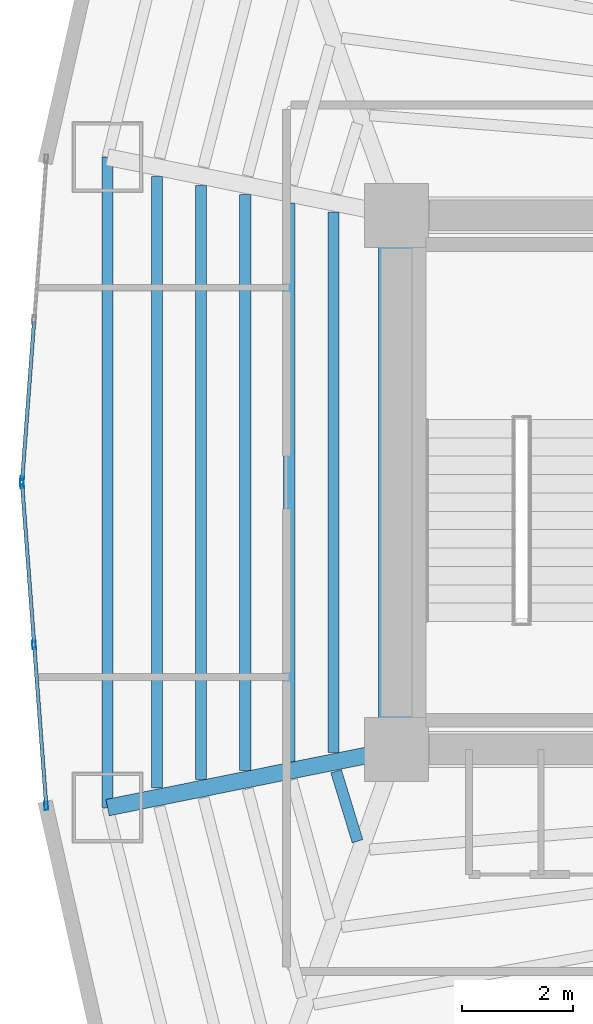
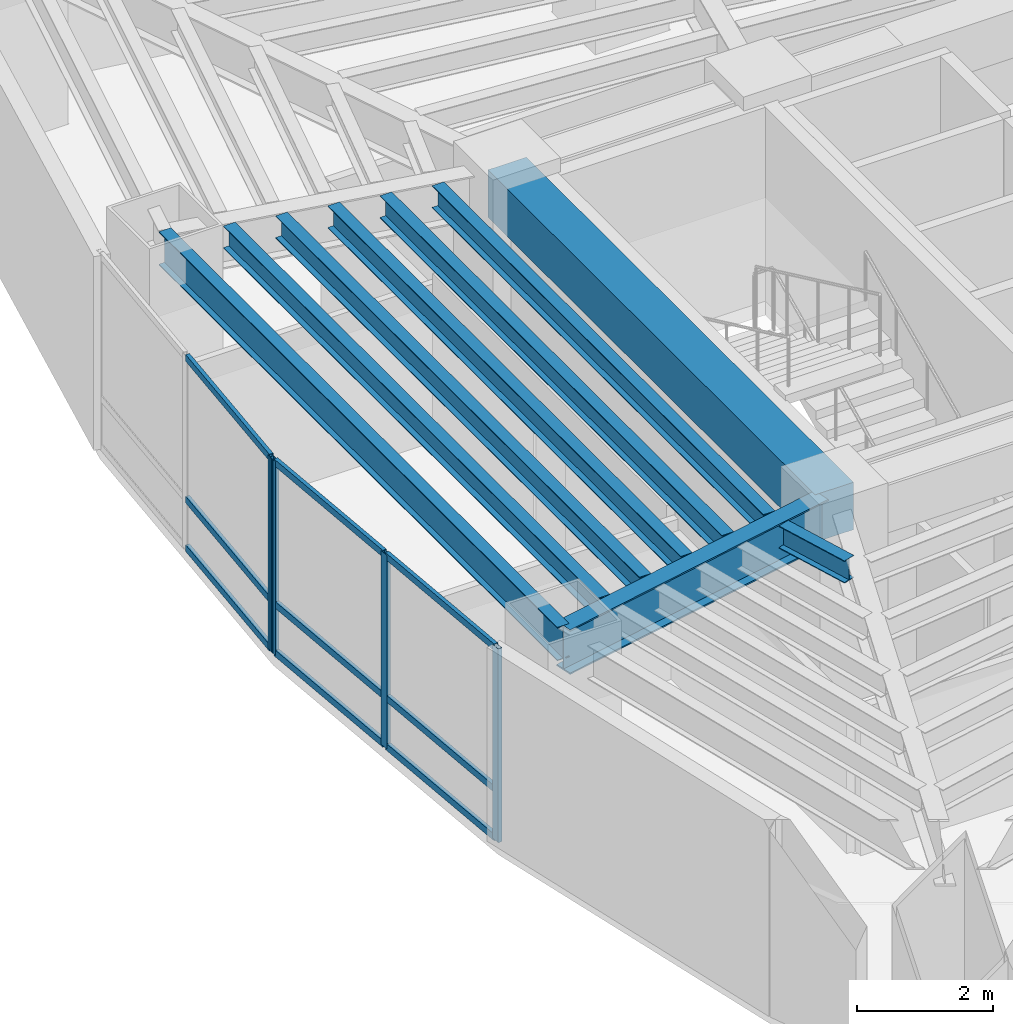
# One storey, part 3 of 18: 13 members, 9 beams, 2 elements without a shape of their own.
"""IFC4 building model written with IfcOpenShell, lengths in metres."""

import ifcopenshell
import ifcopenshell.guid

model = None  # the IFC model being written
_history = None  # IfcOwnerHistory: only IFC2X3 demands one
_inside = {}  # id of a spatial element -> (the spatial element, [elements in it])
_under = {}  # id of a project, library or spatial element -> (it, [spatial elements below it])
_declared = {}  # id of a project -> (the project, [libraries it declares])
_typed = {}  # id of a type object -> (the type object, [elements of that type])
_made_of = {}  # id of a material, layer set ... -> (it, [elements and type objects made of it])


def new_model(schema):
    """Start an empty IFC model of exactly this schema.

    Asked for "IFC4X3", IfcOpenShell would pick the latest addendum, in which some entities
    have other attributes; the version numbers below select the first issue.
    IFC2X3 requires an IfcOwnerHistory on every rooted entity: one is made here for all.
    """
    global model, _history
    if schema == "IFC4X3":
        model = ifcopenshell.file(schema_version=(4, 3, 0, 0))
    else:
        model = ifcopenshell.file(schema=schema)
    _inside.clear()
    _under.clear()
    _declared.clear()
    _typed.clear()
    _made_of.clear()
    _history = None
    if model.schema == "IFC2X3":
        org = make("IfcOrganization", Name="unknown")
        user = make(
            "IfcPersonAndOrganization",
            ThePerson=make("IfcPerson", FamilyName="unknown"),
            TheOrganization=org,
        )
        app = make(
            "IfcApplication",
            ApplicationDeveloper=org,
            Version="unknown",
            ApplicationFullName="unknown",
            ApplicationIdentifier="unknown",
        )
        _history = make(
            "IfcOwnerHistory",
            OwningUser=user,
            OwningApplication=app,
            ChangeAction="ADDED",
            CreationDate=0,
        )
    return model


def make(cls, **values):
    """One entity of the class cls with the attributes given. An attribute that is None is left unset."""
    return model.create_entity(
        cls, **{name: value for name, value in values.items() if value is not None}
    )


def rooted(cls, **values):
    """An entity with a GlobalId (a new one), such as an element, a storey or a relation."""
    return make(cls, GlobalId=ifcopenshell.guid.new(), OwnerHistory=_history, **values)


def si_unit(unit_type, name, prefix=None):
    """IfcSIUnit, for example si_unit("LENGTHUNIT", "METRE", prefix="MILLI")."""
    return make("IfcSIUnit", UnitType=unit_type, Prefix=prefix, Name=name)


def assignment(units):
    """IfcUnitAssignment: the units of a project."""
    return None if units is None else make("IfcUnitAssignment", Units=units)


def point(xyz):
    """IfcCartesianPoint."""
    return None if xyz is None else make("IfcCartesianPoint", Coordinates=xyz)


def direction(xyz):
    """IfcDirection."""
    return None if xyz is None else make("IfcDirection", DirectionRatios=xyz)


def frame(location, z_axis=None, x_axis=None):
    """IfcAxis2Placement3D, a coordinate frame: its origin and axes. An axis left out is left unset."""
    return make(
        "IfcAxis2Placement3D",
        Location=point(location),
        Axis=direction(z_axis),
        RefDirection=direction(x_axis),
    )


def frame_2d(location, x_axis=None):
    """IfcAxis2Placement2D, a coordinate frame in the plane: its origin and x axis."""
    return make(
        "IfcAxis2Placement2D", Location=point(location), RefDirection=direction(x_axis)
    )


def origin():
    """The frame at (0, 0, 0) with its axes left unset."""
    return frame((0.0, 0.0, 0.0))


def origin_2d():
    """The frame at (0, 0) in the plane with its x axis left unset."""
    return frame_2d((0.0, 0.0))


def place(relative_to, where):
    """IfcLocalPlacement: puts the frame where relative to a parent placement (None: the world)."""
    return make(
        "IfcLocalPlacement", PlacementRelTo=relative_to, RelativePlacement=where
    )


def context(
    kind, dimensions, precision=None, world=None, true_north=None, identifier=None
):
    """IfcGeometricRepresentationContext, for example the 3D "Model" context."""
    return make(
        "IfcGeometricRepresentationContext",
        ContextIdentifier=identifier,
        ContextType=kind,
        CoordinateSpaceDimension=dimensions,
        Precision=precision,
        WorldCoordinateSystem=world,
        TrueNorth=true_north,
    )


def subcontext(parent, identifier, kind, view, scale=None):
    """IfcGeometricRepresentationSubContext, for example "Body" below "Model"."""
    return make(
        "IfcGeometricRepresentationSubContext",
        ContextIdentifier=identifier,
        ContextType=kind,
        ParentContext=parent,
        TargetScale=scale,
        TargetView=view,
    )


def project(units=None, contexts=None):
    """IfcProject with its units and contexts."""
    return rooted(
        "IfcProject",
        Name="project",
        RepresentationContexts=contexts,
        UnitsInContext=assignment(units),
    )


def spatial(cls, under=None, at=None, **own):
    """A site, building, storey or space (cls), placed at a placement, below another one or the project."""
    s = rooted(cls, ObjectPlacement=at, **own)
    if under is not None:
        _under.setdefault(under.id(), (under, []))[1].append(s)
    return s


def profile(cls, at=None, kind="AREA", **sizes):
    """A parametric profile (cls). Its sizes go by their IFC names, for example OverallWidth=200.0."""
    return make(cls, ProfileType=kind, Position=at, **sizes)


def rectangle(**sizes):
    """IfcRectangleProfileDef."""
    return profile("IfcRectangleProfileDef", **sizes)


def hollow_rectangle(**sizes):
    """IfcRectangleHollowProfileDef."""
    return profile("IfcRectangleHollowProfileDef", **sizes)


def i_section(**sizes):
    """IfcIShapeProfileDef."""
    return profile("IfcIShapeProfileDef", **sizes)


def extrude(swept, where, along, depth):
    """IfcExtrudedAreaSolid: the profile swept, set in the frame where, extruded along a direction by depth."""
    return make(
        "IfcExtrudedAreaSolid",
        SweptArea=swept,
        Position=where,
        ExtrudedDirection=direction(along),
        Depth=depth,
    )


def shape(context_of_items, identifier, shape_type, items):
    """IfcShapeRepresentation: the items that make up one representation, for example the "Body"."""
    return make(
        "IfcShapeRepresentation",
        ContextOfItems=context_of_items,
        RepresentationIdentifier=identifier,
        RepresentationType=shape_type,
        Items=items,
    )


def material(Name=None, Category=None):
    """IfcMaterial."""
    return make("IfcMaterial", Name=Name, Category=Category)


def layer(
    of_material, thickness, ventilated=None, Name=None, Category=None, Priority=None
):
    """IfcMaterialLayer: one layer of a wall or slab, of a material (None: an air gap)."""
    return make(
        "IfcMaterialLayer",
        Material=of_material,
        LayerThickness=thickness,
        IsVentilated=ventilated,
        Name=Name,
        Category=Category,
        Priority=Priority,
    )


def layer_set(layers, Name=None):
    """IfcMaterialLayerSet."""
    return make("IfcMaterialLayerSet", MaterialLayers=layers, LayerSetName=Name)


def material_profile(
    of_material, cross_section, Name=None, Category=None, Priority=None
):
    """IfcMaterialProfile: a cross section and its material."""
    return make(
        "IfcMaterialProfile",
        Name=Name,
        Material=of_material,
        Profile=cross_section,
        Priority=Priority,
        Category=Category,
    )


def profile_set(profiles, Name=None, composite=None):
    """IfcMaterialProfileSet."""
    return make(
        "IfcMaterialProfileSet",
        Name=Name,
        MaterialProfiles=profiles,
        CompositeProfile=composite,
    )


def made_of(thing, what):
    """Note that an element or type object is made of a material, layer set ...; save() writes the relation."""
    if what is not None:
        _made_of.setdefault(what.id(), (what, []))[1].append(thing)
    return thing


def type_object(cls, material=None, **own):
    """A type object (cls), such as IfcWallType, which elements share."""
    return made_of(rooted(cls, **own), material)


def element(
    cls,
    number,
    at=None,
    inside=None,
    cuts=None,
    type_object=None,
    material=None,
    context=None,
    identifier="Body",
    shape_type=None,
    held_by="IfcProductDefinitionShape",
    body=None,
    shapes=None,
    **own,
):
    """One element of the class cls, such as IfcWall. Its Tag is "e" and its number.

    at: its placement. inside: the storey or other place that contains it. cuts: it is an
    opening in that element (IfcRelVoidsElement). A single representation is given by context,
    identifier, shape_type and body (its items); several are given by shapes. held_by: the class
    of the entity that holds the representations. save() writes the other relations.
    """
    e = rooted(cls, Tag="e%d" % number, ObjectPlacement=at, **own)
    if body is not None:
        shapes = [shape(context, identifier, shape_type, body)]
    if shapes is not None:
        e.Representation = make(held_by, Representations=shapes)
    if inside is not None:
        _inside.setdefault(inside.id(), (inside, []))[1].append(e)
    if cuts is not None:
        rooted(
            "IfcRelVoidsElement", RelatingBuildingElement=cuts, RelatedOpeningElement=e
        )
    if type_object is not None:
        _typed.setdefault(type_object.id(), (type_object, []))[1].append(e)
    return made_of(e, material)


def aggregate(whole, parts):
    """IfcRelAggregates: a whole, such as a stair, and the parts it consists of."""
    return rooted("IfcRelAggregates", RelatingObject=whole, RelatedObjects=parts)


def save(model, path):
    """Write the relations noted so far, then the file.

    IfcRelAggregates (storeys below a building ...), IfcRelContainedInSpatialStructure (elements
    in a storey), IfcRelDefinesByType, IfcRelAssociatesMaterial and IfcRelDeclares: one each for
    every whole, place, type object, material and project.
    """
    for whole, parts in _under.values():
        aggregate(whole, parts)
    for where, things in _inside.values():
        rooted(
            "IfcRelContainedInSpatialStructure",
            RelatedElements=things,
            RelatingStructure=where,
        )
    for kind, things in _typed.values():
        rooted("IfcRelDefinesByType", RelatedObjects=things, RelatingType=kind)
    for what, things in _made_of.values():
        rooted("IfcRelAssociatesMaterial", RelatedObjects=things, RelatingMaterial=what)
    for by, libraries in _declared.values():
        rooted("IfcRelDeclares", RelatingContext=by, RelatedDefinitions=libraries)
    model.write(path)


model = new_model("IFC4")

# Units and contexts
model_context = context("Model", 3, precision=1e-05, world=origin(), true_north=direction((0.0, 1.0)))
body_context = subcontext(model_context, "Body", "Model", "MODEL_VIEW")
ifc_project = project(units=[si_unit("LENGTHUNIT", "METRE"), si_unit("AREAUNIT", "SQUARE_METRE"), si_unit("VOLUMEUNIT", "CUBIC_METRE"), si_unit("PLANEANGLEUNIT", "RADIAN"), si_unit("MASSUNIT", "GRAM", prefix="KILO")], contexts=[model_context])

# Site, building, storey
site_placement = place(None, origin())
site = spatial("IfcSite", under=ifc_project, at=site_placement, CompositionType="ELEMENT")
building_placement = place(site_placement, origin())
building = spatial("IfcBuilding", under=site, at=building_placement, Name="Menara Vayukalpa", CompositionType="ELEMENT")
storey_placement = place(building_placement, frame((0.0, 0.0, 92.820068359375)))
storey = spatial("IfcBuildingStorey", under=building, at=storey_placement, Name="L22", CompositionType="ELEMENT", Elevation=92.820068359375)

# Beams
ifc_material_1 = material(Name="Concrete C60/75", Category="concrete")
ifc_material_profile_1 = material_profile(ifc_material_1, rectangle(XDim=0.64990234375, YDim=0.85009765625, at=origin_2d()), Name="RC 650x850")
ifc_profile_set_1 = profile_set([ifc_material_profile_1], Name="Concrete C60/75")
beam_type_1 = type_object("IfcBeamType", Name="BM-CB1", PredefinedType="BEAM", material=ifc_profile_set_1)
beam_1_placement = place(storey_placement, frame((17.800048828125, 17.199951171875, 3.044921875), z_axis=(0.0, 1.0, 0.0), x_axis=(-1.0, 0.0, 0.0)))
element("IfcBeam", 1, at=beam_1_placement, inside=storey, type_object=beam_type_1, Name="L22 Core Tie Beam CBR7", PredefinedType="BEAM", context=body_context, shape_type="SweptSolid", body=[
    extrude(rectangle(XDim=0.64990234375, YDim=0.85009765625, at=origin_2d()), origin(), (0.0, 0.0, 1.0), 9.60009765625),
])
ifc_material_2 = material(Name="Steel S355", Category="steel")
ifc_material_profile_2 = material_profile(ifc_material_2, i_section(OverallWidth=0.300048828125, OverallDepth=0.800048828125, WebThickness=0.013916015625, FlangeThickness=0.02587890625, at=origin_2d()), Name="WF 800x300x14x26")
ifc_profile_set_2 = profile_set([ifc_material_profile_2], Name="Steel S355")
beam_type_2 = type_object("IfcBeamType", Name="BM-PG3", PredefinedType="BEAM", material=ifc_profile_set_2)
beam_2_placement = place(storey_placement, frame((17.554931640625, 17.150634765625, 3.06982421875), z_axis=(-0.980324984906, -0.197390283373, 0.0), x_axis=(0.197390283373, -0.980324984906, 0.0)))
element("IfcBeam", 2, at=beam_2_placement, inside=storey, type_object=beam_type_2, Name="L22 Primary Radial Girder RG06", PredefinedType="BEAM", context=body_context, shape_type="SweptSolid", body=[
    extrude(i_section(OverallWidth=0.300048828125, OverallDepth=0.800048828125, WebThickness=0.013916015625, FlangeThickness=0.02587890625, at=origin_2d()), origin(), (0.0, 0.0, 1.0), 5.047607421875),
])
ifc_material_3 = material(Name="Steel S355", Category="steel")
ifc_material_profile_3 = material_profile(ifc_material_3, i_section(OverallWidth=0.199951171875, OverallDepth=0.39990234375, WebThickness=0.008056640625, FlangeThickness=0.012939453125, at=origin_2d()), Name="WF 400x200x8x13")
ifc_profile_set_3 = profile_set([ifc_material_profile_3], Name="Steel S355")
beam_type_3 = type_object("IfcBeamType", Name="BM-SJ2", PredefinedType="JOIST", material=ifc_profile_set_3)
beam_3_placement = place(storey_placement, frame((16.664306640625, 26.858642578125, 3.27001953125), z_axis=(0.0, -1.0, 0.0), x_axis=(1.0, 0.0, 0.0)))
element("IfcBeam", 3, at=beam_3_placement, inside=storey, type_object=beam_type_3, Name="L22 Secondary Floor Joist SJ05-1", PredefinedType="JOIST", context=body_context, shape_type="SweptSolid", body=[
    extrude(i_section(OverallWidth=0.199951171875, OverallDepth=0.39990234375, WebThickness=0.008056640625, FlangeThickness=0.012939453125, at=origin_2d()), origin(), (0.0, 0.0, 1.0), 9.71728515625),
])
beam_4_placement = place(storey_placement, frame((15.87255859375, 27.01806640625, 3.27001953125), z_axis=(0.0, -1.0, 0.0), x_axis=(1.0, 0.0, 0.0)))
element("IfcBeam", 4, at=beam_4_placement, inside=storey, type_object=beam_type_3, Name="L22 Secondary Floor Joist SJ05-2", PredefinedType="JOIST", context=body_context, shape_type="SweptSolid", body=[
    extrude(i_section(OverallWidth=0.199951171875, OverallDepth=0.39990234375, WebThickness=0.008056640625, FlangeThickness=0.012939453125, at=origin_2d()), origin(), (0.0, 0.0, 1.0), 10.0361328125),
])
beam_5_placement = place(storey_placement, frame((15.080810546875, 27.177490234375, 3.27001953125), z_axis=(0.0, -1.0, 0.0), x_axis=(1.0, 0.0, 0.0)))
element("IfcBeam", 5, at=beam_5_placement, inside=storey, type_object=beam_type_3, Name="L22 Secondary Floor Joist SJ05-3", PredefinedType="JOIST", context=body_context, shape_type="SweptSolid", body=[
    extrude(i_section(OverallWidth=0.199951171875, OverallDepth=0.39990234375, WebThickness=0.008056640625, FlangeThickness=0.012939453125, at=origin_2d()), origin(), (0.0, 0.0, 1.0), 10.35498046875),
])
beam_6_placement = place(storey_placement, frame((14.2890625, 27.3369140625, 3.27001953125), z_axis=(0.0, -1.0, 0.0), x_axis=(1.0, 0.0, 0.0)))
element("IfcBeam", 6, at=beam_6_placement, inside=storey, type_object=beam_type_3, Name="L22 Secondary Floor Joist SJ05-4", PredefinedType="JOIST", context=body_context, shape_type="SweptSolid", body=[
    extrude(i_section(OverallWidth=0.199951171875, OverallDepth=0.39990234375, WebThickness=0.008056640625, FlangeThickness=0.012939453125, at=origin_2d()), origin(), (0.0, 0.0, 1.0), 10.673828125),
])
beam_7_placement = place(storey_placement, frame((13.497314453125, 27.496337890625, 3.27001953125), z_axis=(0.0, -1.0, 0.0), x_axis=(1.0, 0.0, 0.0)))
element("IfcBeam", 7, at=beam_7_placement, inside=storey, type_object=beam_type_3, Name="L22 Secondary Floor Joist SJ05-5", PredefinedType="JOIST", context=body_context, shape_type="SweptSolid", body=[
    extrude(i_section(OverallWidth=0.199951171875, OverallDepth=0.39990234375, WebThickness=0.008056640625, FlangeThickness=0.012939453125, at=origin_2d()), origin(), (0.0, 0.0, 1.0), 10.99267578125),
])
beam_8_placement = place(storey_placement, frame((16.714111328125, 16.808837890625, 3.27001953125), z_axis=(0.292651981473, -0.956219021846, 0.0), x_axis=(0.956219021846, 0.292651981473, 0.0)))
element("IfcBeam", 8, at=beam_8_placement, inside=storey, type_object=beam_type_3, Name="L22 Secondary Floor Joist SJ06-1", PredefinedType="JOIST", context=body_context, shape_type="SweptSolid", body=[
    extrude(i_section(OverallWidth=0.199951171875, OverallDepth=0.39990234375, WebThickness=0.008056640625, FlangeThickness=0.012939453125, at=origin_2d()), origin(), (0.0, 0.0, 1.0), 1.31640625),
])
ifc_material_4 = material(Name="Steel S355", Category="steel")
ifc_material_profile_4 = material_profile(ifc_material_4, i_section(OverallWidth=0.199951171875, OverallDepth=0.60009765625, WebThickness=0.010986328125, FlangeThickness=0.01708984375, at=origin_2d()), Name="WF 600x200x11x17")
ifc_profile_set_4 = profile_set([ifc_material_profile_4], Name="Steel S355")
beam_type_4 = type_object("IfcBeamType", Name="BM-SP1", PredefinedType="SPANDREL", material=ifc_profile_set_4)
beam_9_placement = place(storey_placement, frame((12.606689453125, 27.845703125, 3.169921875), z_axis=(0.0, -1.0, 0.0), x_axis=(1.0, 0.0, 0.0)))
element("IfcBeam", 9, at=beam_9_placement, inside=storey, type_object=beam_type_4, Name="L22 Perimeter Spandrel Beam SP05", PredefinedType="SPANDREL", context=body_context, shape_type="SweptSolid", body=[
    extrude(i_section(OverallWidth=0.199951171875, OverallDepth=0.60009765625, WebThickness=0.010986328125, FlangeThickness=0.01708984375, at=origin_2d()), origin(), (0.0, 0.0, 1.0), 11.69140625),
])

# Curtain wall, member
ifc_material_5 = material(Name="Anodised Terracotta Aluminium Alloy 6063-T6", Category="masonry")
ifc_layer = layer(ifc_material_5, 0.14990234375)
ifc_layer_set = layer_set([ifc_layer], Name="Anodised Terracotta Aluminium Alloy 6063-T6")
curtain_wall_type = type_object("IfcCurtainWallType", Name="CW-CW3", PredefinedType="USERDEFINED", material=ifc_layer_set)
curtain_wall_1_placement = place(storey_placement, origin())
curtain_wall_1 = element("IfcCurtainWall", 10, at=curtain_wall_1_placement, inside=storey, type_object=curtain_wall_type, Name="L22 Mid Rise Terracotta Ribbon Curtain Wall CW3 10", ObjectType="UNITISED", PredefinedType="USERDEFINED")
ifc_material_6 = material(Name="Anodised Terracotta Aluminium Alloy 6063-T6", Category="masonry")
ifc_material_profile_5 = material_profile(ifc_material_6, hollow_rectangle(XDim=0.06494140625, YDim=0.14990234375, WallThickness=0.00341796875, at=origin_2d()), Name="ALU 65x150x3.5")
ifc_profile_set_5 = profile_set([ifc_material_profile_5], Name="Anodised Terracotta Aluminium Alloy 6063-T6")
member_type_1 = type_object("IfcMemberType", Name="CWM-CW3", PredefinedType="MULLION", material=ifc_profile_set_5)
member_1_placement = place(storey_placement, frame((11.070556640625, 22.032470703125, 0.0), z_axis=(0.0, 0.0, 1.0), x_axis=(0.997199659745, -0.07478528334, 0.0)))
member_1 = element("IfcMember", 11, at=member_1_placement, type_object=member_type_1, Name="CW3 mullion 3", PredefinedType="MULLION", context=body_context, shape_type="SweptSolid", body=[
    extrude(hollow_rectangle(XDim=0.06494140625, YDim=0.14990234375, WallThickness=0.00341796875, at=origin_2d()), origin(), (0.0, 0.0, 1.0), 3.469970703125),
])

# Curtain wall, members
curtain_wall_2_placement = place(storey_placement, origin())
curtain_wall_2 = element("IfcCurtainWall", 12, at=curtain_wall_2_placement, inside=storey, type_object=curtain_wall_type, Name="L22 Mid Rise Terracotta Ribbon Curtain Wall CW3 11", ObjectType="UNITISED", PredefinedType="USERDEFINED")
member_2_placement = place(storey_placement, frame((11.070556640625, 21.967529296875, 0.0), z_axis=(0.0, 0.0, 1.0), x_axis=(0.997199659745, 0.07478528334, 0.0)))
member_2 = element("IfcMember", 13, at=member_2_placement, type_object=member_type_1, Name="CW3 mullion 1", PredefinedType="MULLION", context=body_context, shape_type="SweptSolid", body=[
    extrude(hollow_rectangle(XDim=0.06494140625, YDim=0.14990234375, WallThickness=0.00341796875, at=origin_2d()), origin(), (0.0, 0.0, 1.0), 3.469970703125),
])
member_3_placement = place(storey_placement, frame((11.287353515625, 19.0771484375, 0.0), z_axis=(0.0, 0.0, 1.0), x_axis=(0.997199659745, 0.07478528334, 0.0)))
member_3 = element("IfcMember", 14, at=member_3_placement, type_object=member_type_1, Name="CW3 mullion 2", PredefinedType="MULLION", context=body_context, shape_type="SweptSolid", body=[
    extrude(hollow_rectangle(XDim=0.06494140625, YDim=0.14990234375, WallThickness=0.00341796875, at=origin_2d()), origin(), (0.0, 0.0, 1.0), 3.469970703125),
])
member_4_placement = place(storey_placement, frame((11.504150390625, 16.186767578125, 0.0), z_axis=(0.0, 0.0, 1.0), x_axis=(0.997199659745, 0.07478528334, 0.0)))
member_4 = element("IfcMember", 15, at=member_4_placement, type_object=member_type_1, Name="CW3 mullion 3", PredefinedType="MULLION", context=body_context, shape_type="SweptSolid", body=[
    extrude(hollow_rectangle(XDim=0.06494140625, YDim=0.14990234375, WallThickness=0.00341796875, at=origin_2d()), origin(), (0.0, 0.0, 1.0), 3.469970703125),
])

# Member
ifc_material_7 = material(Name="Anodised Terracotta Aluminium Alloy 6063-T6", Category="masonry")
ifc_material_profile_6 = material_profile(ifc_material_7, hollow_rectangle(XDim=0.06494140625, YDim=0.1201171875, WallThickness=0.00341796875, at=origin_2d()), Name="ALU 65x120x3.5")
ifc_profile_set_6 = profile_set([ifc_material_profile_6], Name="Anodised Terracotta Aluminium Alloy 6063-T6")
member_type_2 = type_object("IfcMemberType", Name="CWT-CW3", PredefinedType="USERDEFINED", material=ifc_profile_set_6)
member_5_placement = place(storey_placement, frame((11.284912109375, 24.890380859375, 0.032470703125), z_axis=(-0.074785664408, -0.997199631167, 0.0), x_axis=(0.997199631167, -0.074785664408, 0.0)))
member_5 = element("IfcMember", 16, at=member_5_placement, type_object=member_type_2, Name="CW3 transom 2.1", ObjectType="TRANSOM", PredefinedType="USERDEFINED", context=body_context, shape_type="SweptSolid", body=[
    extrude(hollow_rectangle(XDim=0.06494140625, YDim=0.1201171875, WallThickness=0.00341796875, at=origin_2d()), origin(), (0.0, 0.0, 1.0), 2.833740234375),
])

member_6_placement = place(storey_placement, frame((11.284912109375, 24.890380859375, 0.89990234375), z_axis=(-0.074785664408, -0.997199631167, 0.0), x_axis=(0.997199631167, -0.074785664408, 0.0)))
member_6 = element("IfcMember", 17, at=member_6_placement, type_object=member_type_2, Name="CW3 transom 2.2", ObjectType="TRANSOM", PredefinedType="USERDEFINED", context=body_context, shape_type="SweptSolid", body=[
    extrude(hollow_rectangle(XDim=0.06494140625, YDim=0.1201171875, WallThickness=0.00341796875, at=origin_2d()), origin(), (0.0, 0.0, 1.0), 2.833740234375),
])

member_7_placement = place(storey_placement, frame((11.284912109375, 24.890380859375, 3.4375), z_axis=(-0.074785664408, -0.997199631167, 0.0), x_axis=(0.997199631167, -0.074785664408, 0.0)))
member_7 = element("IfcMember", 18, at=member_7_placement, type_object=member_type_2, Name="CW3 transom 2.3", ObjectType="TRANSOM", PredefinedType="USERDEFINED", context=body_context, shape_type="SweptSolid", body=[
    extrude(hollow_rectangle(XDim=0.06494140625, YDim=0.1201171875, WallThickness=0.00341796875, at=origin_2d()), origin(), (0.0, 0.0, 1.0), 2.833740234375),
])

aggregate(curtain_wall_1, [member_1, member_5, member_6, member_7])

member_8_placement = place(storey_placement, frame((11.072998046875, 21.935302734375, 0.032470703125), z_axis=(0.074785664408, -0.997199631167, 0.0), x_axis=(0.997199631167, 0.074785664408, 0.0)))
member_8 = element("IfcMember", 19, at=member_8_placement, type_object=member_type_2, Name="CW3 transom 1.1", ObjectType="TRANSOM", PredefinedType="USERDEFINED", context=body_context, shape_type="SweptSolid", body=[
    extrude(hollow_rectangle(XDim=0.06494140625, YDim=0.1201171875, WallThickness=0.00341796875, at=origin_2d()), origin(), (0.0, 0.0, 1.0), 2.833740234375),
])

member_9_placement = place(storey_placement, frame((11.072998046875, 21.935302734375, 0.89990234375), z_axis=(0.074785664408, -0.997199631167, 0.0), x_axis=(0.997199631167, 0.074785664408, 0.0)))
member_9 = element("IfcMember", 20, at=member_9_placement, type_object=member_type_2, Name="CW3 transom 1.2", ObjectType="TRANSOM", PredefinedType="USERDEFINED", context=body_context, shape_type="SweptSolid", body=[
    extrude(hollow_rectangle(XDim=0.06494140625, YDim=0.1201171875, WallThickness=0.00341796875, at=origin_2d()), origin(), (0.0, 0.0, 1.0), 2.833740234375),
])

member_10_placement = place(storey_placement, frame((11.072998046875, 21.935302734375, 3.4375), z_axis=(0.074785664408, -0.997199631167, 0.0), x_axis=(0.997199631167, 0.074785664408, 0.0)))
member_10 = element("IfcMember", 21, at=member_10_placement, type_object=member_type_2, Name="CW3 transom 1.3", ObjectType="TRANSOM", PredefinedType="USERDEFINED", context=body_context, shape_type="SweptSolid", body=[
    extrude(hollow_rectangle(XDim=0.06494140625, YDim=0.1201171875, WallThickness=0.00341796875, at=origin_2d()), origin(), (0.0, 0.0, 1.0), 2.833740234375),
])

member_11_placement = place(storey_placement, frame((11.289794921875, 19.044677734375, 0.032470703125), z_axis=(0.074792090342, -0.997199149229, 0.0), x_axis=(0.997199149229, 0.074792090342, 0.0)))
member_11 = element("IfcMember", 22, at=member_11_placement, type_object=member_type_2, Name="CW3 transom 2.1", ObjectType="TRANSOM", PredefinedType="USERDEFINED", context=body_context, shape_type="SweptSolid", body=[
    extrude(hollow_rectangle(XDim=0.06494140625, YDim=0.1201171875, WallThickness=0.00341796875, at=origin_2d()), origin(), (0.0, 0.0, 1.0), 2.83349609375),
])

member_12_placement = place(storey_placement, frame((11.289794921875, 19.044677734375, 0.89990234375), z_axis=(0.074792090342, -0.997199149229, 0.0), x_axis=(0.997199149229, 0.074792090342, 0.0)))
member_12 = element("IfcMember", 23, at=member_12_placement, type_object=member_type_2, Name="CW3 transom 2.2", ObjectType="TRANSOM", PredefinedType="USERDEFINED", context=body_context, shape_type="SweptSolid", body=[
    extrude(hollow_rectangle(XDim=0.06494140625, YDim=0.1201171875, WallThickness=0.00341796875, at=origin_2d()), origin(), (0.0, 0.0, 1.0), 2.83349609375),
])

member_13_placement = place(storey_placement, frame((11.289794921875, 19.044677734375, 3.4375), z_axis=(0.074792090342, -0.997199149229, 0.0), x_axis=(0.997199149229, 0.074792090342, 0.0)))
member_13 = element("IfcMember", 24, at=member_13_placement, type_object=member_type_2, Name="CW3 transom 2.3", ObjectType="TRANSOM", PredefinedType="USERDEFINED", context=body_context, shape_type="SweptSolid", body=[
    extrude(hollow_rectangle(XDim=0.06494140625, YDim=0.1201171875, WallThickness=0.00341796875, at=origin_2d()), origin(), (0.0, 0.0, 1.0), 2.83349609375),
])

aggregate(curtain_wall_2, [member_2, member_3, member_4, member_8, member_9, member_10, member_11, member_12, member_13])

save(model, "model.ifc")
